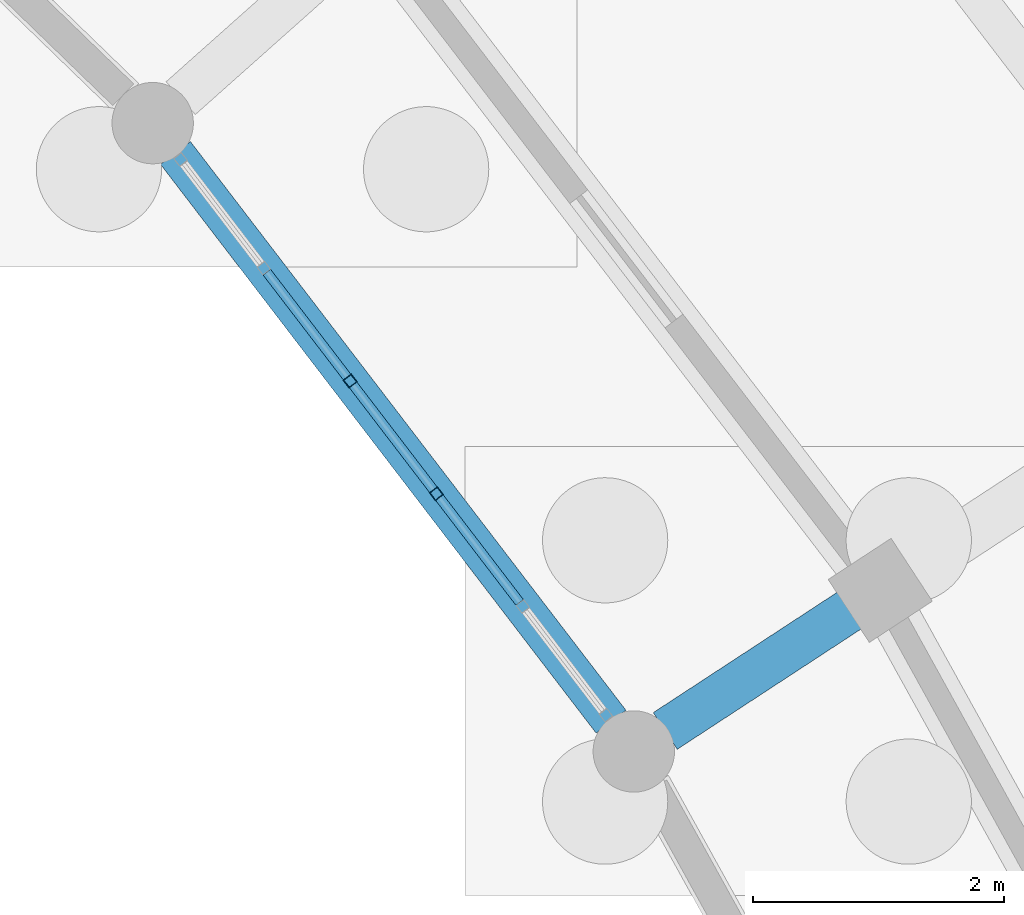
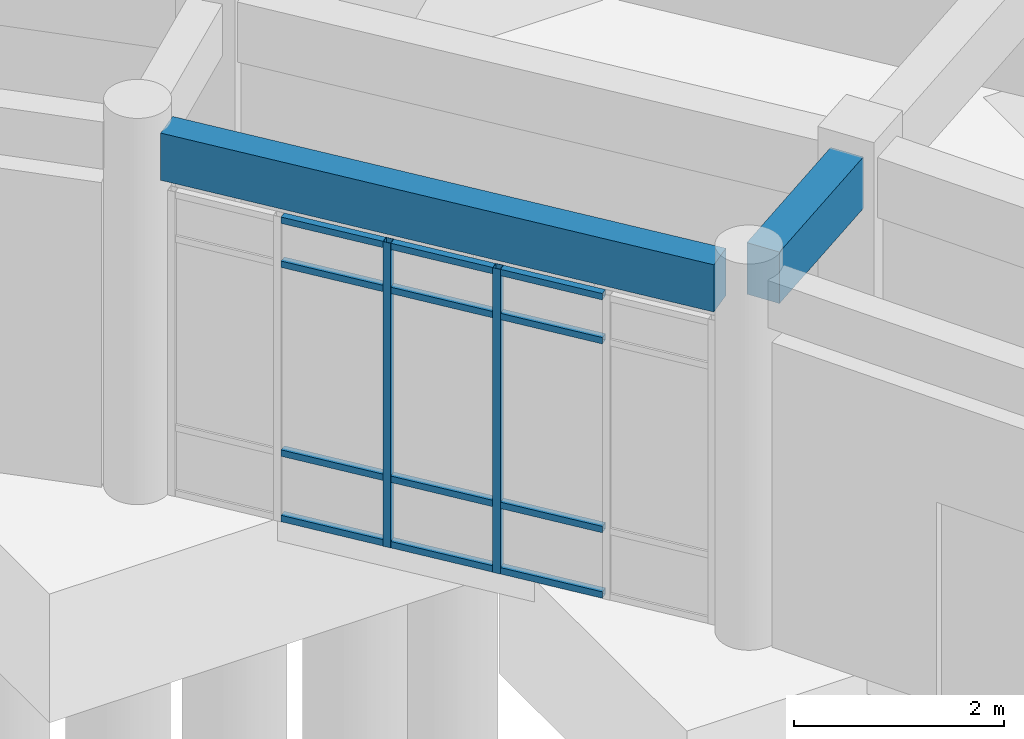
# One storey, part 79 of 153: 14 members, 2 beams, 1 element without a shape of its own.
"""IFC4 building model written with IfcOpenShell, lengths in metres."""

from ifc_helpers import new_model, si_unit, direction, frame, origin, origin_2d, place, context, subcontext, project, spatial, rectangle, hollow_rectangle, extrude, material, material_profile, profile_set, type_object, element, aggregate, save


model = new_model("IFC4")

# Units and contexts
model_context = context("Model", 3, precision=1e-05, world=origin(), true_north=direction((0.0, 1.0)))
body_context = subcontext(model_context, "Body", "Model", "MODEL_VIEW")
ifc_project = project(units=[si_unit("LENGTHUNIT", "METRE"), si_unit("AREAUNIT", "SQUARE_METRE"), si_unit("VOLUMEUNIT", "CUBIC_METRE"), si_unit("PLANEANGLEUNIT", "RADIAN"), si_unit("MASSUNIT", "GRAM", prefix="KILO")], contexts=[model_context])

# Site, building, storey
site_placement = place(None, origin())
site = spatial("IfcSite", under=ifc_project, at=site_placement, CompositionType="ELEMENT")
building_placement = place(site_placement, origin())
building = spatial("IfcBuilding", under=site, at=building_placement, Name="Celadon Cloister-Ring School", CompositionType="ELEMENT")
storey_placement = place(building_placement, origin())
storey = spatial("IfcBuildingStorey", under=building, at=storey_placement, Name="L00", CompositionType="ELEMENT", Elevation=0.0)

# Beam
ifc_material_1 = material(Name="Concrete C35/45", Category="concrete")
ifc_material_profile_1 = material_profile(ifc_material_1, rectangle(XDim=0.35009765625, YDim=0.60009765625, at=origin_2d()), Name="RC350X600")
ifc_profile_set_1 = profile_set([ifc_material_profile_1], Name="Concrete C35/45")
beam_type_1 = type_object("IfcBeamType", Name="BT-02", PredefinedType="BEAM", material=ifc_profile_set_1)
beam_1_placement = place(storey_placement, frame((124.427978515625, 83.485107421875, 3.97998046875), z_axis=(-0.836841228722, -0.547445666629, 0.0), x_axis=(0.547445666629, -0.836841228722, 0.0)))
element("IfcBeam", 1, at=beam_1_placement, inside=storey, type_object=beam_type_1, Name="Beam 0062", PredefinedType="BEAM", context=body_context, shape_type="SweptSolid", body=[
    extrude(rectangle(XDim=0.35009765625, YDim=0.60009765625, at=origin_2d()), origin(), (0.0, 0.0, 1.0), 1.77587890625),
])

# Curtain wall, members
ifc_material_2 = material(Name="Aluminium EN AW-6063 T6", Category="aluminium")
curtain_wall_type = type_object("IfcCurtainWallType", Name="CW-01", PredefinedType="USERDEFINED", material=ifc_material_2)
curtain_wall_placement = place(storey_placement, origin())
curtain_wall = element("IfcCurtainWall", 2, at=curtain_wall_placement, inside=storey, type_object=curtain_wall_type, Name="Curtain Wall 0019", ObjectType="CURTAIN WALL", PredefinedType="USERDEFINED")
ifc_material_3 = material(Name="Aluminium EN AW-6063 T6", Category="aluminium")
ifc_material_profile_2 = material_profile(ifc_material_3, hollow_rectangle(XDim=0.080078125, YDim=0.080078125, WallThickness=0.00390625, at=origin_2d()), Name="RHS80X80X4")
ifc_profile_set_2 = profile_set([ifc_material_profile_2], Name="Aluminium EN AW-6063 T6")
member_type_1 = type_object("IfcMemberType", Name="CM-03", PredefinedType="MULLION", material=ifc_profile_set_2)
member_1_placement = place(storey_placement, frame((121.114990234375, 84.406982421875, 0.0), z_axis=(0.0, 0.0, 1.0), x_axis=(-0.794032169563, -0.607875738699, 0.0)))
member_1 = element("IfcMember", 3, at=member_1_placement, type_object=member_type_1, Name="CW-01 mullion 3", PredefinedType="MULLION", context=body_context, shape_type="SweptSolid", body=[
    extrude(hollow_rectangle(XDim=0.080078125, YDim=0.080078125, WallThickness=0.00390625, at=origin_2d()), origin(), (0.0, 0.0, 1.0), 3.550048828125),
])
member_2_placement = place(storey_placement, frame((120.426025390625, 85.306884765625, 0.0), z_axis=(0.0, 0.0, 1.0), x_axis=(-0.794032169563, -0.607875738699, 0.0)))
member_2 = element("IfcMember", 4, at=member_2_placement, type_object=member_type_1, Name="CW-01 mullion 4", PredefinedType="MULLION", context=body_context, shape_type="SweptSolid", body=[
    extrude(hollow_rectangle(XDim=0.080078125, YDim=0.080078125, WallThickness=0.00390625, at=origin_2d()), origin(), (0.0, 0.0, 1.0), 3.550048828125),
])
ifc_material_4 = material(Name="Aluminium EN AW-6063 T6", Category="aluminium")
ifc_material_profile_3 = material_profile(ifc_material_4, hollow_rectangle(XDim=0.074951171875, YDim=0.074951171875, WallThickness=0.00390625, at=origin_2d()), Name="RHS75X75X4")
ifc_profile_set_3 = profile_set([ifc_material_profile_3], Name="Aluminium EN AW-6063 T6")
member_type_2 = type_object("IfcMemberType", Name="CTM-03", PredefinedType="USERDEFINED", material=ifc_profile_set_3)
member_3_placement = place(storey_placement, frame((121.77978515625, 83.538818359375, 0.03759765625), z_axis=(-0.607905936714, 0.794009050394, 0.0), x_axis=(-0.794009050394, -0.607905936714, 0.0)))
member_3 = element("IfcMember", 5, at=member_3_placement, type_object=member_type_2, Name="CW-01 transom 2.1", ObjectType="TRANSOM", PredefinedType="USERDEFINED", context=body_context, shape_type="SweptSolid", body=[
    extrude(hollow_rectangle(XDim=0.074951171875, YDim=0.074951171875, WallThickness=0.00390625, at=origin_2d()), origin(), (0.0, 0.0, 1.0), 1.053466796875),
])
member_4_placement = place(storey_placement, frame((121.77978515625, 83.538818359375, 0.800048828125), z_axis=(-0.607905936714, 0.794009050394, 0.0), x_axis=(-0.794009050394, -0.607905936714, 0.0)))
member_4 = element("IfcMember", 6, at=member_4_placement, type_object=member_type_2, Name="CW-01 transom 2.2", ObjectType="TRANSOM", PredefinedType="USERDEFINED", context=body_context, shape_type="SweptSolid", body=[
    extrude(hollow_rectangle(XDim=0.074951171875, YDim=0.074951171875, WallThickness=0.00390625, at=origin_2d()), origin(), (0.0, 0.0, 1.0), 1.053466796875),
])
member_5_placement = place(storey_placement, frame((121.77978515625, 83.538818359375, 3.0), z_axis=(-0.607905936714, 0.794009050394, 0.0), x_axis=(-0.794009050394, -0.607905936714, 0.0)))
member_5 = element("IfcMember", 7, at=member_5_placement, type_object=member_type_2, Name="CW-01 transom 2.3", ObjectType="TRANSOM", PredefinedType="USERDEFINED", context=body_context, shape_type="SweptSolid", body=[
    extrude(hollow_rectangle(XDim=0.074951171875, YDim=0.074951171875, WallThickness=0.00390625, at=origin_2d()), origin(), (0.0, 0.0, 1.0), 1.053466796875),
])
member_6_placement = place(storey_placement, frame((121.77978515625, 83.538818359375, 3.512451171875), z_axis=(-0.607905936714, 0.794009050394, 0.0), x_axis=(-0.794009050394, -0.607905936714, 0.0)))
member_6 = element("IfcMember", 8, at=member_6_placement, type_object=member_type_2, Name="CW-01 transom 2.4", ObjectType="TRANSOM", PredefinedType="USERDEFINED", context=body_context, shape_type="SweptSolid", body=[
    extrude(hollow_rectangle(XDim=0.074951171875, YDim=0.074951171875, WallThickness=0.00390625, at=origin_2d()), origin(), (0.0, 0.0, 1.0), 1.053466796875),
])
member_7_placement = place(storey_placement, frame((121.090576171875, 84.438720703125, 0.03759765625), z_axis=(-0.607905936714, 0.794009050394, 0.0), x_axis=(-0.794009050394, -0.607905936714, 0.0)))
member_7 = element("IfcMember", 9, at=member_7_placement, type_object=member_type_2, Name="CW-01 transom 3.1", ObjectType="TRANSOM", PredefinedType="USERDEFINED", context=body_context, shape_type="SweptSolid", body=[
    extrude(hollow_rectangle(XDim=0.074951171875, YDim=0.074951171875, WallThickness=0.00390625, at=origin_2d()), origin(), (0.0, 0.0, 1.0), 1.053466796875),
])
member_8_placement = place(storey_placement, frame((121.090576171875, 84.438720703125, 0.800048828125), z_axis=(-0.607905936714, 0.794009050394, 0.0), x_axis=(-0.794009050394, -0.607905936714, 0.0)))
member_8 = element("IfcMember", 10, at=member_8_placement, type_object=member_type_2, Name="CW-01 transom 3.2", ObjectType="TRANSOM", PredefinedType="USERDEFINED", context=body_context, shape_type="SweptSolid", body=[
    extrude(hollow_rectangle(XDim=0.074951171875, YDim=0.074951171875, WallThickness=0.00390625, at=origin_2d()), origin(), (0.0, 0.0, 1.0), 1.053466796875),
])
member_9_placement = place(storey_placement, frame((121.090576171875, 84.438720703125, 3.0), z_axis=(-0.607905936714, 0.794009050394, 0.0), x_axis=(-0.794009050394, -0.607905936714, 0.0)))
member_9 = element("IfcMember", 11, at=member_9_placement, type_object=member_type_2, Name="CW-01 transom 3.3", ObjectType="TRANSOM", PredefinedType="USERDEFINED", context=body_context, shape_type="SweptSolid", body=[
    extrude(hollow_rectangle(XDim=0.074951171875, YDim=0.074951171875, WallThickness=0.00390625, at=origin_2d()), origin(), (0.0, 0.0, 1.0), 1.053466796875),
])
member_10_placement = place(storey_placement, frame((121.090576171875, 84.438720703125, 3.512451171875), z_axis=(-0.607905936714, 0.794009050394, 0.0), x_axis=(-0.794009050394, -0.607905936714, 0.0)))
member_10 = element("IfcMember", 12, at=member_10_placement, type_object=member_type_2, Name="CW-01 transom 3.4", ObjectType="TRANSOM", PredefinedType="USERDEFINED", context=body_context, shape_type="SweptSolid", body=[
    extrude(hollow_rectangle(XDim=0.074951171875, YDim=0.074951171875, WallThickness=0.00390625, at=origin_2d()), origin(), (0.0, 0.0, 1.0), 1.053466796875),
])
member_11_placement = place(storey_placement, frame((120.401611328125, 85.3388671875, 0.03759765625), z_axis=(-0.607905936714, 0.794009050394, 0.0), x_axis=(-0.794009050394, -0.607905936714, 0.0)))
member_11 = element("IfcMember", 13, at=member_11_placement, type_object=member_type_2, Name="CW-01 transom 4.1", ObjectType="TRANSOM", PredefinedType="USERDEFINED", context=body_context, shape_type="SweptSolid", body=[
    extrude(hollow_rectangle(XDim=0.074951171875, YDim=0.074951171875, WallThickness=0.00390625, at=origin_2d()), origin(), (0.0, 0.0, 1.0), 1.053466796875),
])
member_12_placement = place(storey_placement, frame((120.401611328125, 85.3388671875, 0.800048828125), z_axis=(-0.607905936714, 0.794009050394, 0.0), x_axis=(-0.794009050394, -0.607905936714, 0.0)))
member_12 = element("IfcMember", 14, at=member_12_placement, type_object=member_type_2, Name="CW-01 transom 4.2", ObjectType="TRANSOM", PredefinedType="USERDEFINED", context=body_context, shape_type="SweptSolid", body=[
    extrude(hollow_rectangle(XDim=0.074951171875, YDim=0.074951171875, WallThickness=0.00390625, at=origin_2d()), origin(), (0.0, 0.0, 1.0), 1.053466796875),
])
member_13_placement = place(storey_placement, frame((120.401611328125, 85.3388671875, 3.0), z_axis=(-0.607905936714, 0.794009050394, 0.0), x_axis=(-0.794009050394, -0.607905936714, 0.0)))
member_13 = element("IfcMember", 15, at=member_13_placement, type_object=member_type_2, Name="CW-01 transom 4.3", ObjectType="TRANSOM", PredefinedType="USERDEFINED", context=body_context, shape_type="SweptSolid", body=[
    extrude(hollow_rectangle(XDim=0.074951171875, YDim=0.074951171875, WallThickness=0.00390625, at=origin_2d()), origin(), (0.0, 0.0, 1.0), 1.053466796875),
])
member_14_placement = place(storey_placement, frame((120.401611328125, 85.3388671875, 3.512451171875), z_axis=(-0.607905936714, 0.794009050394, 0.0), x_axis=(-0.794009050394, -0.607905936714, 0.0)))
member_14 = element("IfcMember", 16, at=member_14_placement, type_object=member_type_2, Name="CW-01 transom 4.4", ObjectType="TRANSOM", PredefinedType="USERDEFINED", context=body_context, shape_type="SweptSolid", body=[
    extrude(hollow_rectangle(XDim=0.074951171875, YDim=0.074951171875, WallThickness=0.00390625, at=origin_2d()), origin(), (0.0, 0.0, 1.0), 1.053466796875),
])
aggregate(curtain_wall, [member_1, member_2, member_3, member_4, member_5, member_6, member_7, member_8, member_9, member_10, member_11, member_12, member_13, member_14])

# Beam
ifc_material_5 = material(Name="Concrete C35/45", Category="concrete")
ifc_material_profile_4 = material_profile(ifc_material_5, rectangle(XDim=0.300048828125, YDim=0.550048828125, at=origin_2d()), Name="RC300X550")
ifc_profile_set_4 = profile_set([ifc_material_profile_4], Name="Concrete C35/45")
beam_type_2 = type_object("IfcBeamType", Name="SP-02", PredefinedType="SPANDREL", material=ifc_profile_set_4)
beam_2_placement = place(storey_placement, frame((122.509033203125, 82.5869140625, 4.0048828125), z_axis=(-0.608029932988, 0.793914101519, 0.0), x_axis=(-0.793914101519, -0.608029932988, 0.0)))
element("IfcBeam", 17, at=beam_2_placement, inside=storey, type_object=beam_type_2, Name="Beam 0189", PredefinedType="SPANDREL", context=body_context, shape_type="SweptSolid", body=[
    extrude(rectangle(XDim=0.300048828125, YDim=0.550048828125, at=origin_2d()), origin(), (0.0, 0.0, 1.0), 5.718505859375),
])

save(model, "model.ifc")
